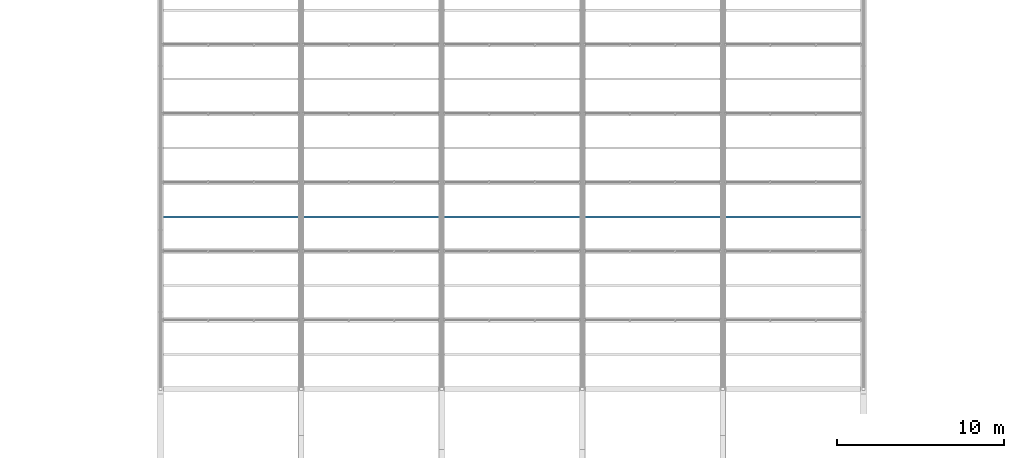
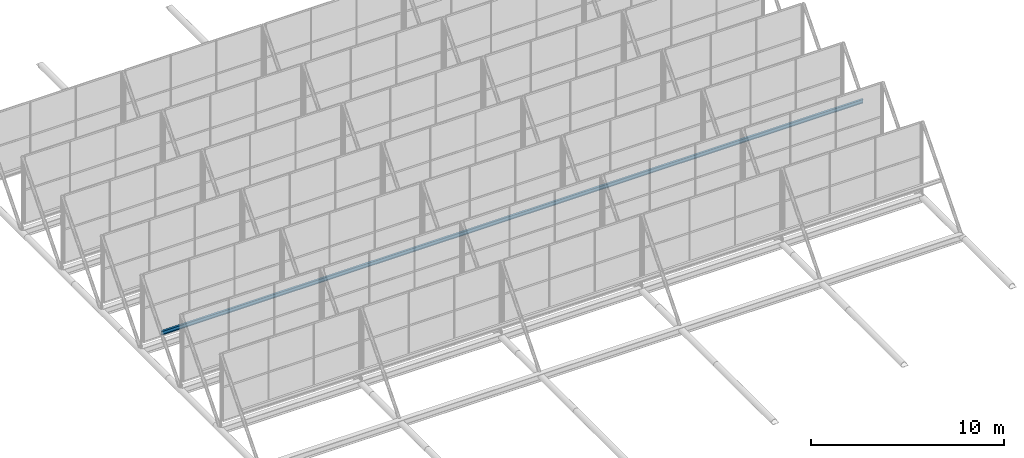
# One storey, part 14 of 77: 1 beam.
"""IFC4 building model written with IfcOpenShell, lengths in metres."""

import ifcopenshell
import ifcopenshell.guid

model = None  # the IFC model being written
_history = None  # IfcOwnerHistory: only IFC2X3 demands one
_inside = {}  # id of a spatial element -> (the spatial element, [elements in it])
_under = {}  # id of a project, library or spatial element -> (it, [spatial elements below it])
_declared = {}  # id of a project -> (the project, [libraries it declares])
_typed = {}  # id of a type object -> (the type object, [elements of that type])
_made_of = {}  # id of a material, layer set ... -> (it, [elements and type objects made of it])


def new_model(schema):
    """Start an empty IFC model of exactly this schema.

    Asked for "IFC4X3", IfcOpenShell would pick the latest addendum, in which some entities
    have other attributes; the version numbers below select the first issue.
    IFC2X3 requires an IfcOwnerHistory on every rooted entity: one is made here for all.
    """
    global model, _history
    if schema == "IFC4X3":
        model = ifcopenshell.file(schema_version=(4, 3, 0, 0))
    else:
        model = ifcopenshell.file(schema=schema)
    _inside.clear()
    _under.clear()
    _declared.clear()
    _typed.clear()
    _made_of.clear()
    _history = None
    if model.schema == "IFC2X3":
        org = make("IfcOrganization", Name="unknown")
        user = make(
            "IfcPersonAndOrganization",
            ThePerson=make("IfcPerson", FamilyName="unknown"),
            TheOrganization=org,
        )
        app = make(
            "IfcApplication",
            ApplicationDeveloper=org,
            Version="unknown",
            ApplicationFullName="unknown",
            ApplicationIdentifier="unknown",
        )
        _history = make(
            "IfcOwnerHistory",
            OwningUser=user,
            OwningApplication=app,
            ChangeAction="ADDED",
            CreationDate=0,
        )
    return model


def make(cls, **values):
    """One entity of the class cls with the attributes given. An attribute that is None is left unset."""
    return model.create_entity(
        cls, **{name: value for name, value in values.items() if value is not None}
    )


def rooted(cls, **values):
    """An entity with a GlobalId (a new one), such as an element, a storey or a relation."""
    return make(cls, GlobalId=ifcopenshell.guid.new(), OwnerHistory=_history, **values)


def si_unit(unit_type, name, prefix=None):
    """IfcSIUnit, for example si_unit("LENGTHUNIT", "METRE", prefix="MILLI")."""
    return make("IfcSIUnit", UnitType=unit_type, Prefix=prefix, Name=name)


def derived_unit(unit_type, elements):
    """IfcDerivedUnit: a product of units, each with its exponent."""
    return make(
        "IfcDerivedUnit",
        Elements=[
            make("IfcDerivedUnitElement", Unit=unit, Exponent=power)
            for unit, power in elements
        ],
        UnitType=unit_type,
    )


def assignment(units):
    """IfcUnitAssignment: the units of a project."""
    return None if units is None else make("IfcUnitAssignment", Units=units)


def point(xyz):
    """IfcCartesianPoint."""
    return None if xyz is None else make("IfcCartesianPoint", Coordinates=xyz)


def direction(xyz):
    """IfcDirection."""
    return None if xyz is None else make("IfcDirection", DirectionRatios=xyz)


def frame(location, z_axis=None, x_axis=None):
    """IfcAxis2Placement3D, a coordinate frame: its origin and axes. An axis left out is left unset."""
    return make(
        "IfcAxis2Placement3D",
        Location=point(location),
        Axis=direction(z_axis),
        RefDirection=direction(x_axis),
    )


def frame_2d(location, x_axis=None):
    """IfcAxis2Placement2D, a coordinate frame in the plane: its origin and x axis."""
    return make(
        "IfcAxis2Placement2D", Location=point(location), RefDirection=direction(x_axis)
    )


def origin():
    """The frame at (0, 0, 0) with its axes left unset."""
    return frame((0.0, 0.0, 0.0))


def origin_2d():
    """The frame at (0, 0) in the plane with its x axis left unset."""
    return frame_2d((0.0, 0.0))


def place(relative_to, where):
    """IfcLocalPlacement: puts the frame where relative to a parent placement (None: the world)."""
    return make(
        "IfcLocalPlacement", PlacementRelTo=relative_to, RelativePlacement=where
    )


def context(
    kind, dimensions, precision=None, world=None, true_north=None, identifier=None
):
    """IfcGeometricRepresentationContext, for example the 3D "Model" context."""
    return make(
        "IfcGeometricRepresentationContext",
        ContextIdentifier=identifier,
        ContextType=kind,
        CoordinateSpaceDimension=dimensions,
        Precision=precision,
        WorldCoordinateSystem=world,
        TrueNorth=true_north,
    )


def subcontext(parent, identifier, kind, view, scale=None):
    """IfcGeometricRepresentationSubContext, for example "Body" below "Model"."""
    return make(
        "IfcGeometricRepresentationSubContext",
        ContextIdentifier=identifier,
        ContextType=kind,
        ParentContext=parent,
        TargetScale=scale,
        TargetView=view,
    )


def project(units=None, contexts=None):
    """IfcProject with its units and contexts."""
    return rooted(
        "IfcProject",
        Name="project",
        RepresentationContexts=contexts,
        UnitsInContext=assignment(units),
    )


def spatial(cls, under=None, at=None, **own):
    """A site, building, storey or space (cls), placed at a placement, below another one or the project."""
    s = rooted(cls, ObjectPlacement=at, **own)
    if under is not None:
        _under.setdefault(under.id(), (under, []))[1].append(s)
    return s


def profile(cls, at=None, kind="AREA", **sizes):
    """A parametric profile (cls). Its sizes go by their IFC names, for example OverallWidth=200.0."""
    return make(cls, ProfileType=kind, Position=at, **sizes)


def i_section(**sizes):
    """IfcIShapeProfileDef."""
    return profile("IfcIShapeProfileDef", **sizes)


def extrude(swept, where, along, depth):
    """IfcExtrudedAreaSolid: the profile swept, set in the frame where, extruded along a direction by depth."""
    return make(
        "IfcExtrudedAreaSolid",
        SweptArea=swept,
        Position=where,
        ExtrudedDirection=direction(along),
        Depth=depth,
    )


def shape(context_of_items, identifier, shape_type, items):
    """IfcShapeRepresentation: the items that make up one representation, for example the "Body"."""
    return make(
        "IfcShapeRepresentation",
        ContextOfItems=context_of_items,
        RepresentationIdentifier=identifier,
        RepresentationType=shape_type,
        Items=items,
    )


def material(Name=None, Category=None):
    """IfcMaterial."""
    return make("IfcMaterial", Name=Name, Category=Category)


def material_profile(
    of_material, cross_section, Name=None, Category=None, Priority=None
):
    """IfcMaterialProfile: a cross section and its material."""
    return make(
        "IfcMaterialProfile",
        Name=Name,
        Material=of_material,
        Profile=cross_section,
        Priority=Priority,
        Category=Category,
    )


def profile_set(profiles, Name=None, composite=None):
    """IfcMaterialProfileSet."""
    return make(
        "IfcMaterialProfileSet",
        Name=Name,
        MaterialProfiles=profiles,
        CompositeProfile=composite,
    )


def made_of(thing, what):
    """Note that an element or type object is made of a material, layer set ...; save() writes the relation."""
    if what is not None:
        _made_of.setdefault(what.id(), (what, []))[1].append(thing)
    return thing


def type_object(cls, material=None, **own):
    """A type object (cls), such as IfcWallType, which elements share."""
    return made_of(rooted(cls, **own), material)


def element(
    cls,
    number,
    at=None,
    inside=None,
    cuts=None,
    type_object=None,
    material=None,
    context=None,
    identifier="Body",
    shape_type=None,
    held_by="IfcProductDefinitionShape",
    body=None,
    shapes=None,
    **own,
):
    """One element of the class cls, such as IfcWall. Its Tag is "e" and its number.

    at: its placement. inside: the storey or other place that contains it. cuts: it is an
    opening in that element (IfcRelVoidsElement). A single representation is given by context,
    identifier, shape_type and body (its items); several are given by shapes. held_by: the class
    of the entity that holds the representations. save() writes the other relations.
    """
    e = rooted(cls, Tag="e%d" % number, ObjectPlacement=at, **own)
    if body is not None:
        shapes = [shape(context, identifier, shape_type, body)]
    if shapes is not None:
        e.Representation = make(held_by, Representations=shapes)
    if inside is not None:
        _inside.setdefault(inside.id(), (inside, []))[1].append(e)
    if cuts is not None:
        rooted(
            "IfcRelVoidsElement", RelatingBuildingElement=cuts, RelatedOpeningElement=e
        )
    if type_object is not None:
        _typed.setdefault(type_object.id(), (type_object, []))[1].append(e)
    return made_of(e, material)


def aggregate(whole, parts):
    """IfcRelAggregates: a whole, such as a stair, and the parts it consists of."""
    return rooted("IfcRelAggregates", RelatingObject=whole, RelatedObjects=parts)


def save(model, path):
    """Write the relations noted so far, then the file.

    IfcRelAggregates (storeys below a building ...), IfcRelContainedInSpatialStructure (elements
    in a storey), IfcRelDefinesByType, IfcRelAssociatesMaterial and IfcRelDeclares: one each for
    every whole, place, type object, material and project.
    """
    for whole, parts in _under.values():
        aggregate(whole, parts)
    for where, things in _inside.values():
        rooted(
            "IfcRelContainedInSpatialStructure",
            RelatedElements=things,
            RelatingStructure=where,
        )
    for kind, things in _typed.values():
        rooted("IfcRelDefinesByType", RelatedObjects=things, RelatingType=kind)
    for what, things in _made_of.values():
        rooted("IfcRelAssociatesMaterial", RelatedObjects=things, RelatingMaterial=what)
    for by, libraries in _declared.values():
        rooted("IfcRelDeclares", RelatingContext=by, RelatedDefinitions=libraries)
    model.write(path)


model = new_model("IFC4")

# Units and contexts
model_context = context("Model", 3, precision=1e-05, world=origin(), true_north=direction((0.0, 1.0)))
body_context = subcontext(model_context, "Body", "Model", "MODEL_VIEW")
ifc_project = project(units=[si_unit("LENGTHUNIT", "METRE"), si_unit("AREAUNIT", "SQUARE_METRE"), si_unit("VOLUMEUNIT", "CUBIC_METRE"), si_unit("PLANEANGLEUNIT", "RADIAN"), si_unit("MASSUNIT", "GRAM", prefix="KILO"), derived_unit("THERMALTRANSMITTANCEUNIT", [(si_unit("MASSUNIT", "GRAM", prefix="KILO"), 1), (si_unit("TIMEUNIT", "SECOND"), -3), (si_unit("THERMODYNAMICTEMPERATUREUNIT", "KELVIN"), -1)])], contexts=[model_context])

# Site, building, storey
site_placement = place(None, origin())
site = spatial("IfcSite", under=ifc_project, at=site_placement, CompositionType="ELEMENT")
building_placement = place(site_placement, origin())
building = spatial("IfcBuilding", under=site, at=building_placement, Name="Kharveza Railside Sports Centre", CompositionType="ELEMENT")
storey_placement = place(building_placement, frame((0.0, 0.0, 17.10009765625)))
storey = spatial("IfcBuildingStorey", under=building, at=storey_placement, Name="L04", CompositionType="ELEMENT", Elevation=17.10009765625)

# Beam
ifc_material = material(Name="Steel S275JR", Category="steel")
ifc_material_profile = material_profile(ifc_material, i_section(OverallWidth=0.1201171875, OverallDepth=0.239990234375, WebThickness=0.006103515625, FlangeThickness=0.009765625, FilletRadius=0.014892578125, at=origin_2d()), Name="IPE 240")
ifc_profile_set = profile_set([ifc_material_profile], Name="Steel S275JR")
beam_type = type_object("IfcBeamType", Name="BM-J01", PredefinedType="JOIST", material=ifc_profile_set)
beam_placement = place(storey_placement, frame((33.60009765625, 46.285888671875, 1.31982421875), z_axis=(1.0, 0.0, 0.0), x_axis=(0.0, 1.0, 0.0)))
element("IfcBeam", 1, at=beam_placement, inside=storey, type_object=beam_type, Name="BM-V1SAW-PUR-3", PredefinedType="JOIST", context=body_context, shape_type="SweptSolid", body=[
    extrude(i_section(OverallWidth=0.1201171875, OverallDepth=0.239990234375, WebThickness=0.006103515625, FlangeThickness=0.009765625, FilletRadius=0.014892578125, at=origin_2d()), origin(), (0.0, 0.0, 1.0), 42.0),
])

save(model, "model.ifc")
